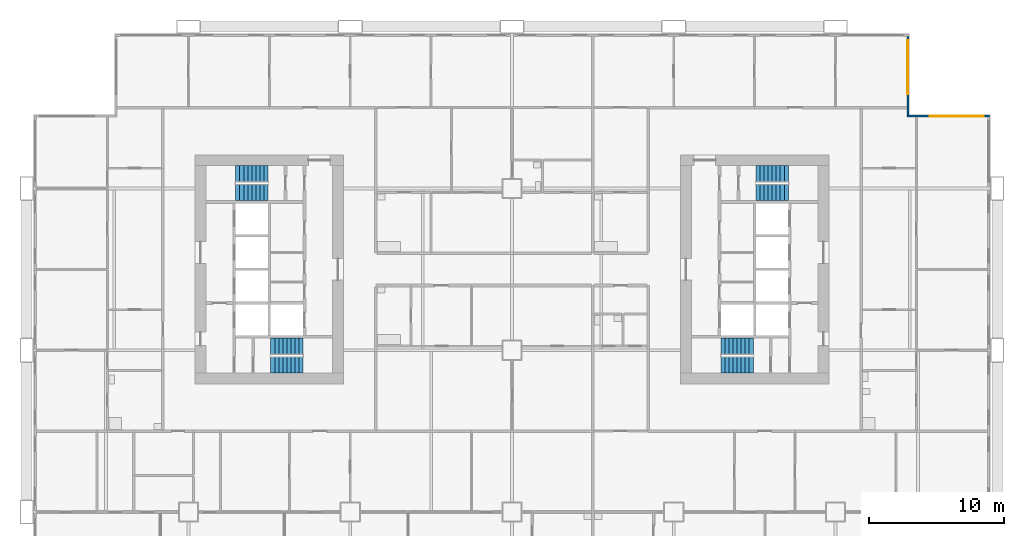
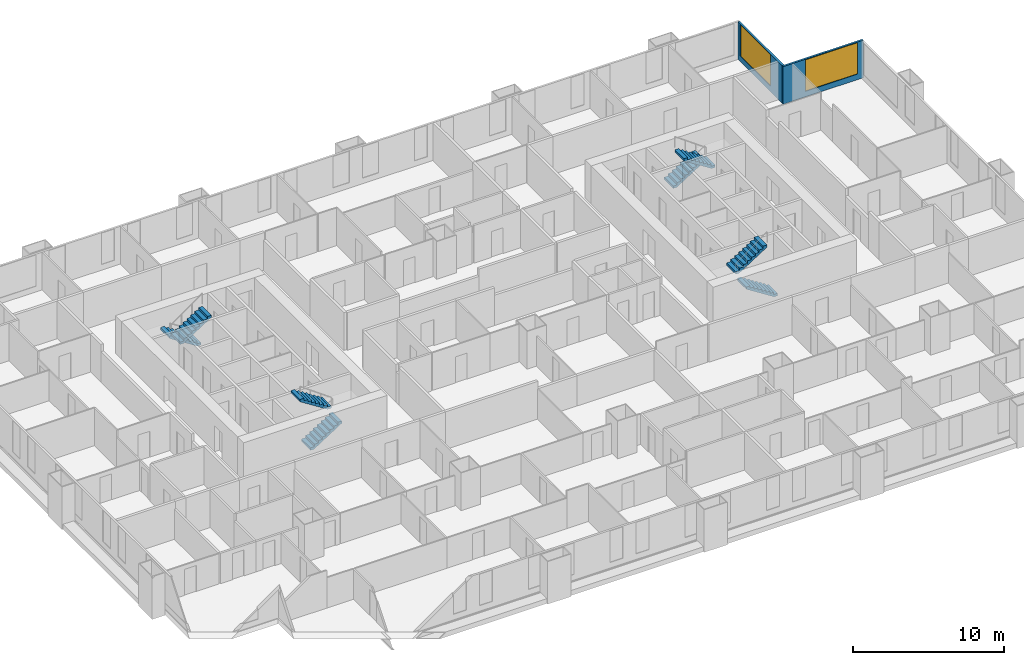
# One storey, part 12 of 14: 8 stair flights, 2 walls, 2 windows, 2 openings, 4 elements without a shape of their own.
"""IFC4 building model written with IfcOpenShell, lengths in metres."""

import ifcopenshell
import ifcopenshell.guid

model = None  # the IFC model being written
_history = None  # IfcOwnerHistory: only IFC2X3 demands one
_inside = {}  # id of a spatial element -> (the spatial element, [elements in it])
_under = {}  # id of a project, library or spatial element -> (it, [spatial elements below it])
_declared = {}  # id of a project -> (the project, [libraries it declares])
_typed = {}  # id of a type object -> (the type object, [elements of that type])
_made_of = {}  # id of a material, layer set ... -> (it, [elements and type objects made of it])


def new_model(schema):
    """Start an empty IFC model of exactly this schema.

    Asked for "IFC4X3", IfcOpenShell would pick the latest addendum, in which some entities
    have other attributes; the version numbers below select the first issue.
    IFC2X3 requires an IfcOwnerHistory on every rooted entity: one is made here for all.
    """
    global model, _history
    if schema == "IFC4X3":
        model = ifcopenshell.file(schema_version=(4, 3, 0, 0))
    else:
        model = ifcopenshell.file(schema=schema)
    _inside.clear()
    _under.clear()
    _declared.clear()
    _typed.clear()
    _made_of.clear()
    _history = None
    if model.schema == "IFC2X3":
        org = make("IfcOrganization", Name="unknown")
        user = make(
            "IfcPersonAndOrganization",
            ThePerson=make("IfcPerson", FamilyName="unknown"),
            TheOrganization=org,
        )
        app = make(
            "IfcApplication",
            ApplicationDeveloper=org,
            Version="unknown",
            ApplicationFullName="unknown",
            ApplicationIdentifier="unknown",
        )
        _history = make(
            "IfcOwnerHistory",
            OwningUser=user,
            OwningApplication=app,
            ChangeAction="ADDED",
            CreationDate=0,
        )
    return model


def make(cls, **values):
    """One entity of the class cls with the attributes given. An attribute that is None is left unset."""
    return model.create_entity(
        cls, **{name: value for name, value in values.items() if value is not None}
    )


def rooted(cls, **values):
    """An entity with a GlobalId (a new one), such as an element, a storey or a relation."""
    return make(cls, GlobalId=ifcopenshell.guid.new(), OwnerHistory=_history, **values)


def si_unit(unit_type, name, prefix=None):
    """IfcSIUnit, for example si_unit("LENGTHUNIT", "METRE", prefix="MILLI")."""
    return make("IfcSIUnit", UnitType=unit_type, Prefix=prefix, Name=name)


def assignment(units):
    """IfcUnitAssignment: the units of a project."""
    return None if units is None else make("IfcUnitAssignment", Units=units)


def point(xyz):
    """IfcCartesianPoint."""
    return None if xyz is None else make("IfcCartesianPoint", Coordinates=xyz)


def direction(xyz):
    """IfcDirection."""
    return None if xyz is None else make("IfcDirection", DirectionRatios=xyz)


def frame(location, z_axis=None, x_axis=None):
    """IfcAxis2Placement3D, a coordinate frame: its origin and axes. An axis left out is left unset."""
    return make(
        "IfcAxis2Placement3D",
        Location=point(location),
        Axis=direction(z_axis),
        RefDirection=direction(x_axis),
    )


def frame_2d(location, x_axis=None):
    """IfcAxis2Placement2D, a coordinate frame in the plane: its origin and x axis."""
    return make(
        "IfcAxis2Placement2D", Location=point(location), RefDirection=direction(x_axis)
    )


def origin():
    """The frame at (0, 0, 0) with its axes left unset."""
    return frame((0.0, 0.0, 0.0))


def place(relative_to, where):
    """IfcLocalPlacement: puts the frame where relative to a parent placement (None: the world)."""
    return make(
        "IfcLocalPlacement", PlacementRelTo=relative_to, RelativePlacement=where
    )


def context(
    kind, dimensions, precision=None, world=None, true_north=None, identifier=None
):
    """IfcGeometricRepresentationContext, for example the 3D "Model" context."""
    return make(
        "IfcGeometricRepresentationContext",
        ContextIdentifier=identifier,
        ContextType=kind,
        CoordinateSpaceDimension=dimensions,
        Precision=precision,
        WorldCoordinateSystem=world,
        TrueNorth=true_north,
    )


def subcontext(parent, identifier, kind, view, scale=None):
    """IfcGeometricRepresentationSubContext, for example "Body" below "Model"."""
    return make(
        "IfcGeometricRepresentationSubContext",
        ContextIdentifier=identifier,
        ContextType=kind,
        ParentContext=parent,
        TargetScale=scale,
        TargetView=view,
    )


def project(units=None, contexts=None):
    """IfcProject with its units and contexts."""
    return rooted(
        "IfcProject",
        Name="project",
        RepresentationContexts=contexts,
        UnitsInContext=assignment(units),
    )


def spatial(cls, under=None, at=None, **own):
    """A site, building, storey or space (cls), placed at a placement, below another one or the project."""
    s = rooted(cls, ObjectPlacement=at, **own)
    if under is not None:
        _under.setdefault(under.id(), (under, []))[1].append(s)
    return s


def polyline(points):
    """IfcPolyline through the points."""
    return make("IfcPolyline", Points=[point(p) for p in points])


def profile(cls, at=None, kind="AREA", **sizes):
    """A parametric profile (cls). Its sizes go by their IFC names, for example OverallWidth=200.0."""
    return make(cls, ProfileType=kind, Position=at, **sizes)


def rectangle(**sizes):
    """IfcRectangleProfileDef."""
    return profile("IfcRectangleProfileDef", **sizes)


def outline(outer, holes=None, kind="AREA"):
    """IfcArbitraryClosedProfileDef: a profile drawn as a closed curve; with holes, ...WithVoids."""
    if holes is None:
        return make("IfcArbitraryClosedProfileDef", ProfileType=kind, OuterCurve=outer)
    return make(
        "IfcArbitraryProfileDefWithVoids",
        ProfileType=kind,
        OuterCurve=outer,
        InnerCurves=holes,
    )


def extrude(swept, where, along, depth):
    """IfcExtrudedAreaSolid: the profile swept, set in the frame where, extruded along a direction by depth."""
    return make(
        "IfcExtrudedAreaSolid",
        SweptArea=swept,
        Position=where,
        ExtrudedDirection=direction(along),
        Depth=depth,
    )


def shape(context_of_items, identifier, shape_type, items):
    """IfcShapeRepresentation: the items that make up one representation, for example the "Body"."""
    return make(
        "IfcShapeRepresentation",
        ContextOfItems=context_of_items,
        RepresentationIdentifier=identifier,
        RepresentationType=shape_type,
        Items=items,
    )


def material(Name=None, Category=None):
    """IfcMaterial."""
    return make("IfcMaterial", Name=Name, Category=Category)


def layer(
    of_material, thickness, ventilated=None, Name=None, Category=None, Priority=None
):
    """IfcMaterialLayer: one layer of a wall or slab, of a material (None: an air gap)."""
    return make(
        "IfcMaterialLayer",
        Material=of_material,
        LayerThickness=thickness,
        IsVentilated=ventilated,
        Name=Name,
        Category=Category,
        Priority=Priority,
    )


def layer_set(layers, Name=None):
    """IfcMaterialLayerSet."""
    return make("IfcMaterialLayerSet", MaterialLayers=layers, LayerSetName=Name)


def made_of(thing, what):
    """Note that an element or type object is made of a material, layer set ...; save() writes the relation."""
    if what is not None:
        _made_of.setdefault(what.id(), (what, []))[1].append(thing)
    return thing


def type_object(cls, material=None, **own):
    """A type object (cls), such as IfcWallType, which elements share."""
    return made_of(rooted(cls, **own), material)


def element(
    cls,
    number,
    at=None,
    inside=None,
    cuts=None,
    type_object=None,
    material=None,
    context=None,
    identifier="Body",
    shape_type=None,
    held_by="IfcProductDefinitionShape",
    body=None,
    shapes=None,
    **own,
):
    """One element of the class cls, such as IfcWall. Its Tag is "e" and its number.

    at: its placement. inside: the storey or other place that contains it. cuts: it is an
    opening in that element (IfcRelVoidsElement). A single representation is given by context,
    identifier, shape_type and body (its items); several are given by shapes. held_by: the class
    of the entity that holds the representations. save() writes the other relations.
    """
    e = rooted(cls, Tag="e%d" % number, ObjectPlacement=at, **own)
    if body is not None:
        shapes = [shape(context, identifier, shape_type, body)]
    if shapes is not None:
        e.Representation = make(held_by, Representations=shapes)
    if inside is not None:
        _inside.setdefault(inside.id(), (inside, []))[1].append(e)
    if cuts is not None:
        rooted(
            "IfcRelVoidsElement", RelatingBuildingElement=cuts, RelatedOpeningElement=e
        )
    if type_object is not None:
        _typed.setdefault(type_object.id(), (type_object, []))[1].append(e)
    return made_of(e, material)


def fill(opening, filler):
    """IfcRelFillsElement: the door or window that sits in an opening."""
    return rooted(
        "IfcRelFillsElement",
        RelatingOpeningElement=opening,
        RelatedBuildingElement=filler,
    )


def aggregate(whole, parts):
    """IfcRelAggregates: a whole, such as a stair, and the parts it consists of."""
    return rooted("IfcRelAggregates", RelatingObject=whole, RelatedObjects=parts)


def save(model, path):
    """Write the relations noted so far, then the file.

    IfcRelAggregates (storeys below a building ...), IfcRelContainedInSpatialStructure (elements
    in a storey), IfcRelDefinesByType, IfcRelAssociatesMaterial and IfcRelDeclares: one each for
    every whole, place, type object, material and project.
    """
    for whole, parts in _under.values():
        aggregate(whole, parts)
    for where, things in _inside.values():
        rooted(
            "IfcRelContainedInSpatialStructure",
            RelatedElements=things,
            RelatingStructure=where,
        )
    for kind, things in _typed.values():
        rooted("IfcRelDefinesByType", RelatedObjects=things, RelatingType=kind)
    for what, things in _made_of.values():
        rooted("IfcRelAssociatesMaterial", RelatedObjects=things, RelatingMaterial=what)
    for by, libraries in _declared.values():
        rooted("IfcRelDeclares", RelatingContext=by, RelatedDefinitions=libraries)
    model.write(path)


model = new_model("IFC4")

# Units and contexts
model_context = context("Model", 3, precision=1e-05, world=origin(), true_north=direction((0.0, 1.0)))
body_context = subcontext(model_context, "Body", "Model", "MODEL_VIEW")
ifc_project = project(units=[si_unit("LENGTHUNIT", "METRE"), si_unit("AREAUNIT", "SQUARE_METRE"), si_unit("VOLUMEUNIT", "CUBIC_METRE"), si_unit("PLANEANGLEUNIT", "RADIAN"), si_unit("MASSUNIT", "GRAM", prefix="KILO")], contexts=[model_context])

# Site, building, storey
site_placement = place(None, origin())
site = spatial("IfcSite", under=ifc_project, at=site_placement, CompositionType="ELEMENT")
building_placement = place(site_placement, origin())
building = spatial("IfcBuilding", under=site, at=building_placement, Name="Kitamizu Gate Tower and Museum", CompositionType="ELEMENT")
storey_placement = place(building_placement, frame((0.0, 0.0, 54.14990234375)))
storey = spatial("IfcBuildingStorey", under=building, at=storey_placement, Name="L12", CompositionType="ELEMENT", Elevation=54.14990234375)

# Wall, opening, window
ifc_material_1 = material(Name="Bronze anodised aluminium frame with insulated spandrel and tinted glass", Category="aluminium")
ifc_layer = layer(ifc_material_1, 0.14990234375)
ifc_layer_set = layer_set([ifc_layer], Name="Bronze anodised aluminium frame with insulated spandrel and tinted glass")
wall_type = type_object("IfcWallType", Name="WINDOW WALL 150 BRONZE FRAME EI 30", PredefinedType="ELEMENTEDWALL", material=ifc_layer_set)
wall_1_placement = place(storey_placement, frame((65.2900390625, 41.364990234375, 0.0), z_axis=(0.0, 0.0, 1.0), x_axis=(1.0, 0.0, 0.0)))
wall_1 = element("IfcWall", 1, at=wall_1_placement, inside=storey, type_object=wall_type, Name="Window wall north L12", PredefinedType="ELEMENTEDWALL", context=body_context, shape_type="SweptSolid", body=[
    extrude(rectangle(XDim=6.14990234375, YDim=0.14990234375, at=frame_2d((3.074951171875, 0.0))), origin(), (0.0, 0.0, 1.0), 3.050048828125),
])
opening_1_placement = place(wall_1_placement, frame((1.7099609375, 0.0, 0.449951171875)))
opening_1 = element("IfcOpeningElement", 2, at=opening_1_placement, cuts=wall_1, Name="Opening W16", PredefinedType="OPENING", context=body_context, shape_type="SweptSolid", body=[
    extrude(rectangle(XDim=4.0, YDim=2.550048828125, at=frame_2d((2.0, 1.27490234375))), frame((0.0, 0.0849609375, 0.0), z_axis=(0.0, -1.0, 0.0), x_axis=(1.0, 0.0, 0.0)), (0.0, 0.0, 1.0), 0.169921875),
])
ifc_material_2 = material(Name="Bronze anodised aluminium frame, tinted triple glazing", Category="aluminium")
window_type = type_object("IfcWindowType", Name="WINDOW 4000 x 2550 SILL 450", PartitioningType="SINGLE_PANEL", PredefinedType="WINDOW", material=ifc_material_2)
window_1_placement = place(opening_1_placement, origin())
window_1 = element("IfcWindow", 3, at=window_1_placement, inside=storey, type_object=window_type, Name="Window W16 L12", OverallHeight=2.550048828125, OverallWidth=4.0, PartitioningType="SINGLE_PANEL", PredefinedType="WINDOW", context=body_context, shape_type="SweptSolid", body=[
    extrude(rectangle(XDim=4.0, YDim=2.550048828125, at=frame_2d((2.0, 1.27490234375))), frame((0.0, 0.030029296875, 0.0), z_axis=(0.0, -1.0, 0.0), x_axis=(1.0, 0.0, 0.0)), (0.0, 0.0, 1.0), 0.06005859375),
])
fill(opening_1, window_1)

wall_2_placement = place(storey_placement, frame((65.364990234375, 41.43994140625, 0.0), z_axis=(0.0, 0.0, 1.0), x_axis=(0.0, 1.0, 0.0)))
wall_2 = element("IfcWall", 4, at=wall_2_placement, inside=storey, type_object=wall_type, Name="Window wall east L12", PredefinedType="ELEMENTEDWALL", context=body_context, shape_type="SweptSolid", body=[
    extrude(rectangle(XDim=5.85009765625, YDim=0.14990234375, at=frame_2d((2.925048828125, 0.0))), origin(), (0.0, 0.0, 1.0), 3.050048828125),
])
opening_2_placement = place(wall_2_placement, frame((1.56005859375, 0.0, 0.449951171875)))
opening_2 = element("IfcOpeningElement", 5, at=opening_2_placement, cuts=wall_2, Name="Opening W16", PredefinedType="OPENING", context=body_context, shape_type="SweptSolid", body=[
    extrude(rectangle(XDim=4.0, YDim=2.550048828125, at=frame_2d((2.0, 1.27490234375))), frame((0.0, 0.0849609375, 0.0), z_axis=(0.0, -1.0, 0.0), x_axis=(1.0, 0.0, 0.0)), (0.0, 0.0, 1.0), 0.169921875),
])
window_2_placement = place(opening_2_placement, origin())
window_2 = element("IfcWindow", 6, at=window_2_placement, inside=storey, type_object=window_type, Name="Window W16 L12", OverallHeight=2.550048828125, OverallWidth=4.0, PartitioningType="SINGLE_PANEL", PredefinedType="WINDOW", context=body_context, shape_type="SweptSolid", body=[
    extrude(rectangle(XDim=4.0, YDim=2.550048828125, at=frame_2d((2.0, 1.27490234375))), frame((0.0, 0.030029296875, 0.0), z_axis=(0.0, -1.0, 0.0), x_axis=(1.0, 0.0, 0.0)), (0.0, 0.0, 1.0), 0.06005859375),
])
fill(opening_2, window_2)

# Stair, stair flights
ifc_material_3 = material(Name="Concrete Fc42", Category="concrete")
stair_type = type_object("IfcStairType", Name="Exit stair 1200 wide 192 rise 300 going", PredefinedType="HALF_TURN_STAIR", material=ifc_material_3)
stair_1_placement = place(storey_placement, origin())
stair_1 = element("IfcStair", 7, at=stair_1_placement, inside=storey, type_object=stair_type, Name="Exit stair ST1", PredefinedType="HALF_TURN_STAIR")
ifc_material_4 = material(Name="Concrete Fc42", Category="concrete")
stair_flight_type = type_object("IfcStairFlightType", Name="Stair flight 1200 wide 192 rise 300 going", PredefinedType="STRAIGHT", material=ifc_material_4)
stair_flight_1_placement = place(storey_placement, frame((18.10009765625, 22.89990234375, 0.0), z_axis=(0.0, 0.0, 1.0), x_axis=(1.0, 0.0, 0.0)))
stair_flight_1 = element("IfcStairFlight", 8, at=stair_flight_1_placement, type_object=stair_flight_type, Name="ST1 flight 1", NumberOfRisers=9, NumberOfTreads=8, PredefinedType="STRAIGHT", RiserHeight=0.191666667, TreadLength=0.3, context=body_context, shape_type="SweptSolid", body=[
    extrude(outline(polyline([(0.0, 0.0), (0.0, 0.191650390625), (0.300048828125, 0.191650390625), (0.300048828125, 0.38330078125), (0.60009765625, 0.38330078125), (0.60009765625, 0.574951171875), (0.89990234375, 0.574951171875), (0.89990234375, 0.7666015625), (1.199951171875, 0.7666015625), (1.199951171875, 0.958251953125), (1.5, 0.958251953125), (1.5, 1.14990234375), (1.800048828125, 1.14990234375), (1.800048828125, 1.341552734375), (2.10009765625, 1.341552734375), (2.10009765625, 1.533447265625), (2.39990234375, 1.533447265625), (2.39990234375, 1.72509765625), (2.39990234375, 1.35546875), (0.2783203125, 0.0), (0.0, 0.0)])), frame((0.0, 0.60009765625, 0.0), z_axis=(0.0, -1.0, 0.0), x_axis=(1.0, 0.0, 0.0)), (0.0, 0.0, 1.0), 1.199951171875),
])
stair_flight_2_placement = place(storey_placement, frame((20.5, 24.300048828125, 1.72509765625), z_axis=(0.0, 0.0, 1.0), x_axis=(-1.0, 0.0, 0.0)))
stair_flight_2 = element("IfcStairFlight", 9, at=stair_flight_2_placement, type_object=stair_flight_type, Name="ST1 flight 2", NumberOfRisers=9, NumberOfTreads=8, PredefinedType="STRAIGHT", RiserHeight=0.191666667, TreadLength=0.3, context=body_context, shape_type="SweptSolid", body=[
    extrude(outline(polyline([(0.0, 0.0), (0.0, 0.191650390625), (0.300048828125, 0.191650390625), (0.300048828125, 0.38330078125), (0.60009765625, 0.38330078125), (0.60009765625, 0.574951171875), (0.89990234375, 0.574951171875), (0.89990234375, 0.7666015625), (1.199951171875, 0.7666015625), (1.199951171875, 0.958251953125), (1.5, 0.958251953125), (1.5, 1.14990234375), (1.800048828125, 1.14990234375), (1.800048828125, 1.341552734375), (2.10009765625, 1.341552734375), (2.10009765625, 1.533447265625), (2.39990234375, 1.533447265625), (2.39990234375, 1.72509765625), (2.39990234375, 1.35546875), (0.2783203125, 0.0), (0.0, 0.0)])), frame((0.0, 0.60009765625, 0.0), z_axis=(0.0, -1.0, 0.0), x_axis=(1.0, 0.0, 0.0)), (0.0, 0.0, 1.0), 1.199951171875),
])
aggregate(stair_1, [stair_flight_1, stair_flight_2])

stair_2_placement = place(storey_placement, origin())
stair_2 = element("IfcStair", 10, at=stair_2_placement, inside=storey, type_object=stair_type, Name="Exit stair ST2", PredefinedType="HALF_TURN_STAIR")
stair_flight_3_placement = place(storey_placement, frame((17.89990234375, 37.10009765625, 0.0), z_axis=(0.0, 0.0, 1.0), x_axis=(-1.0, 0.0, 0.0)))
stair_flight_3 = element("IfcStairFlight", 11, at=stair_flight_3_placement, type_object=stair_flight_type, Name="ST2 flight 1", NumberOfRisers=9, NumberOfTreads=8, PredefinedType="STRAIGHT", RiserHeight=0.191666667, TreadLength=0.3, context=body_context, shape_type="SweptSolid", body=[
    extrude(outline(polyline([(0.0, 0.0), (0.0, 0.191650390625), (0.300048828125, 0.191650390625), (0.300048828125, 0.38330078125), (0.60009765625, 0.38330078125), (0.60009765625, 0.574951171875), (0.89990234375, 0.574951171875), (0.89990234375, 0.7666015625), (1.199951171875, 0.7666015625), (1.199951171875, 0.958251953125), (1.5, 0.958251953125), (1.5, 1.14990234375), (1.800048828125, 1.14990234375), (1.800048828125, 1.341552734375), (2.10009765625, 1.341552734375), (2.10009765625, 1.533447265625), (2.39990234375, 1.533447265625), (2.39990234375, 1.72509765625), (2.39990234375, 1.35546875), (0.2783203125, 0.0), (0.0, 0.0)])), frame((0.0, 0.60009765625, 0.0), z_axis=(0.0, -1.0, 0.0), x_axis=(1.0, 0.0, 0.0)), (0.0, 0.0, 1.0), 1.199951171875),
])
stair_flight_4_placement = place(storey_placement, frame((15.5, 35.699951171875, 1.72509765625), z_axis=(0.0, 0.0, 1.0), x_axis=(1.0, 0.0, 0.0)))
stair_flight_4 = element("IfcStairFlight", 12, at=stair_flight_4_placement, type_object=stair_flight_type, Name="ST2 flight 2", NumberOfRisers=9, NumberOfTreads=8, PredefinedType="STRAIGHT", RiserHeight=0.191666667, TreadLength=0.3, context=body_context, shape_type="SweptSolid", body=[
    extrude(outline(polyline([(0.0, 0.0), (0.0, 0.191650390625), (0.300048828125, 0.191650390625), (0.300048828125, 0.38330078125), (0.60009765625, 0.38330078125), (0.60009765625, 0.574951171875), (0.89990234375, 0.574951171875), (0.89990234375, 0.7666015625), (1.199951171875, 0.7666015625), (1.199951171875, 0.958251953125), (1.5, 0.958251953125), (1.5, 1.14990234375), (1.800048828125, 1.14990234375), (1.800048828125, 1.341552734375), (2.10009765625, 1.341552734375), (2.10009765625, 1.533447265625), (2.39990234375, 1.533447265625), (2.39990234375, 1.72509765625), (2.39990234375, 1.35546875), (0.2783203125, 0.0), (0.0, 0.0)])), frame((0.0, 0.60009765625, 0.0), z_axis=(0.0, -1.0, 0.0), x_axis=(1.0, 0.0, 0.0)), (0.0, 0.0, 1.0), 1.199951171875),
])
aggregate(stair_2, [stair_flight_3, stair_flight_4])

stair_3_placement = place(storey_placement, origin())
stair_3 = element("IfcStair", 13, at=stair_3_placement, inside=storey, type_object=stair_type, Name="Exit stair ST3", PredefinedType="HALF_TURN_STAIR")
stair_flight_5_placement = place(storey_placement, frame((53.89990234375, 22.89990234375, 0.0), z_axis=(0.0, 0.0, 1.0), x_axis=(-1.0, 0.0, 0.0)))
stair_flight_5 = element("IfcStairFlight", 14, at=stair_flight_5_placement, type_object=stair_flight_type, Name="ST3 flight 1", NumberOfRisers=9, NumberOfTreads=8, PredefinedType="STRAIGHT", RiserHeight=0.191666667, TreadLength=0.3, context=body_context, shape_type="SweptSolid", body=[
    extrude(outline(polyline([(0.0, 0.0), (0.0, 0.191650390625), (0.300048828125, 0.191650390625), (0.300048828125, 0.38330078125), (0.60009765625, 0.38330078125), (0.60009765625, 0.574951171875), (0.89990234375, 0.574951171875), (0.89990234375, 0.7666015625), (1.199951171875, 0.7666015625), (1.199951171875, 0.958251953125), (1.5, 0.958251953125), (1.5, 1.14990234375), (1.800048828125, 1.14990234375), (1.800048828125, 1.341552734375), (2.10009765625, 1.341552734375), (2.10009765625, 1.533447265625), (2.39990234375, 1.533447265625), (2.39990234375, 1.72509765625), (2.39990234375, 1.35546875), (0.2783203125, 0.0), (0.0, 0.0)])), frame((0.0, 0.60009765625, 0.0), z_axis=(0.0, -1.0, 0.0), x_axis=(1.0, 0.0, 0.0)), (0.0, 0.0, 1.0), 1.199951171875),
])
stair_flight_6_placement = place(storey_placement, frame((51.5, 24.300048828125, 1.72509765625), z_axis=(0.0, 0.0, 1.0), x_axis=(1.0, 0.0, 0.0)))
stair_flight_6 = element("IfcStairFlight", 15, at=stair_flight_6_placement, type_object=stair_flight_type, Name="ST3 flight 2", NumberOfRisers=9, NumberOfTreads=8, PredefinedType="STRAIGHT", RiserHeight=0.191666667, TreadLength=0.3, context=body_context, shape_type="SweptSolid", body=[
    extrude(outline(polyline([(0.0, 0.0), (0.0, 0.191650390625), (0.300048828125, 0.191650390625), (0.300048828125, 0.38330078125), (0.60009765625, 0.38330078125), (0.60009765625, 0.574951171875), (0.89990234375, 0.574951171875), (0.89990234375, 0.7666015625), (1.199951171875, 0.7666015625), (1.199951171875, 0.958251953125), (1.5, 0.958251953125), (1.5, 1.14990234375), (1.800048828125, 1.14990234375), (1.800048828125, 1.341552734375), (2.10009765625, 1.341552734375), (2.10009765625, 1.533447265625), (2.39990234375, 1.533447265625), (2.39990234375, 1.72509765625), (2.39990234375, 1.35546875), (0.2783203125, 0.0), (0.0, 0.0)])), frame((0.0, 0.60009765625, 0.0), z_axis=(0.0, -1.0, 0.0), x_axis=(1.0, 0.0, 0.0)), (0.0, 0.0, 1.0), 1.199951171875),
])
aggregate(stair_3, [stair_flight_5, stair_flight_6])

stair_4_placement = place(storey_placement, origin())
stair_4 = element("IfcStair", 16, at=stair_4_placement, inside=storey, type_object=stair_type, Name="Exit stair ST4", PredefinedType="HALF_TURN_STAIR")
stair_flight_7_placement = place(storey_placement, frame((54.10009765625, 37.10009765625, 0.0), z_axis=(0.0, 0.0, 1.0), x_axis=(1.0, 0.0, 0.0)))
stair_flight_7 = element("IfcStairFlight", 17, at=stair_flight_7_placement, type_object=stair_flight_type, Name="ST4 flight 1", NumberOfRisers=9, NumberOfTreads=8, PredefinedType="STRAIGHT", RiserHeight=0.191666667, TreadLength=0.3, context=body_context, shape_type="SweptSolid", body=[
    extrude(outline(polyline([(0.0, 0.0), (0.0, 0.191650390625), (0.300048828125, 0.191650390625), (0.300048828125, 0.38330078125), (0.60009765625, 0.38330078125), (0.60009765625, 0.574951171875), (0.89990234375, 0.574951171875), (0.89990234375, 0.7666015625), (1.199951171875, 0.7666015625), (1.199951171875, 0.958251953125), (1.5, 0.958251953125), (1.5, 1.14990234375), (1.800048828125, 1.14990234375), (1.800048828125, 1.341552734375), (2.10009765625, 1.341552734375), (2.10009765625, 1.533447265625), (2.39990234375, 1.533447265625), (2.39990234375, 1.72509765625), (2.39990234375, 1.35546875), (0.2783203125, 0.0), (0.0, 0.0)])), frame((0.0, 0.60009765625, 0.0), z_axis=(0.0, -1.0, 0.0), x_axis=(1.0, 0.0, 0.0)), (0.0, 0.0, 1.0), 1.199951171875),
])
stair_flight_8_placement = place(storey_placement, frame((56.5, 35.699951171875, 1.72509765625), z_axis=(0.0, 0.0, 1.0), x_axis=(-1.0, 0.0, 0.0)))
stair_flight_8 = element("IfcStairFlight", 18, at=stair_flight_8_placement, type_object=stair_flight_type, Name="ST4 flight 2", NumberOfRisers=9, NumberOfTreads=8, PredefinedType="STRAIGHT", RiserHeight=0.191666667, TreadLength=0.3, context=body_context, shape_type="SweptSolid", body=[
    extrude(outline(polyline([(0.0, 0.0), (0.0, 0.191650390625), (0.300048828125, 0.191650390625), (0.300048828125, 0.38330078125), (0.60009765625, 0.38330078125), (0.60009765625, 0.574951171875), (0.89990234375, 0.574951171875), (0.89990234375, 0.7666015625), (1.199951171875, 0.7666015625), (1.199951171875, 0.958251953125), (1.5, 0.958251953125), (1.5, 1.14990234375), (1.800048828125, 1.14990234375), (1.800048828125, 1.341552734375), (2.10009765625, 1.341552734375), (2.10009765625, 1.533447265625), (2.39990234375, 1.533447265625), (2.39990234375, 1.72509765625), (2.39990234375, 1.35546875), (0.2783203125, 0.0), (0.0, 0.0)])), frame((0.0, 0.60009765625, 0.0), z_axis=(0.0, -1.0, 0.0), x_axis=(1.0, 0.0, 0.0)), (0.0, 0.0, 1.0), 1.199951171875),
])
aggregate(stair_4, [stair_flight_7, stair_flight_8])

save(model, "model.ifc")
